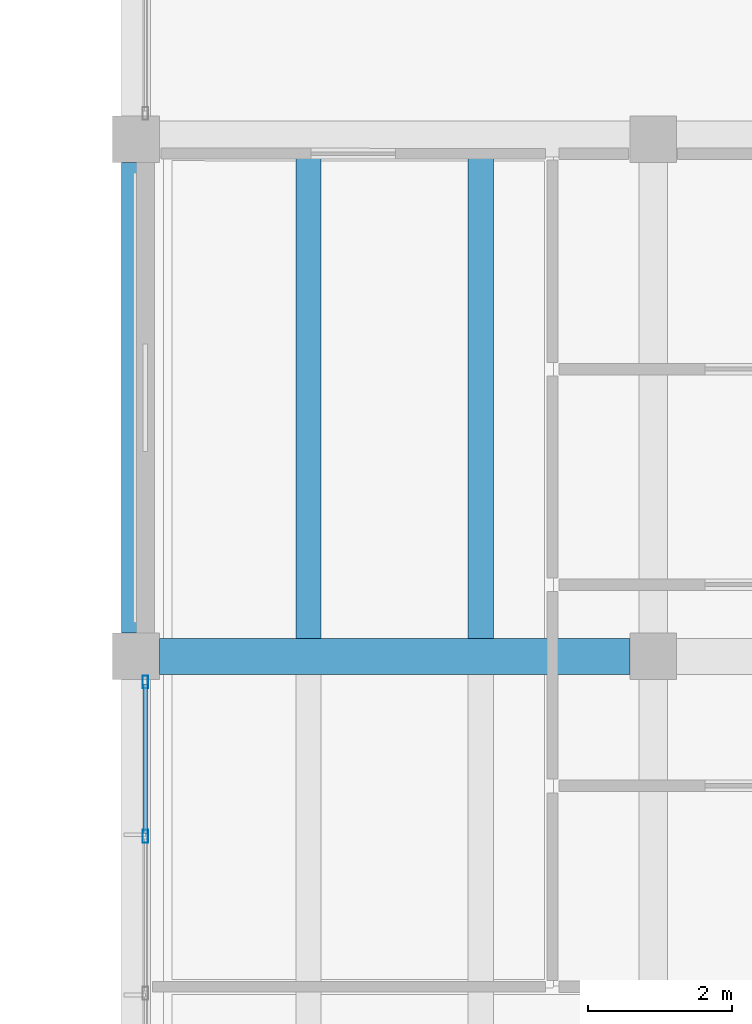
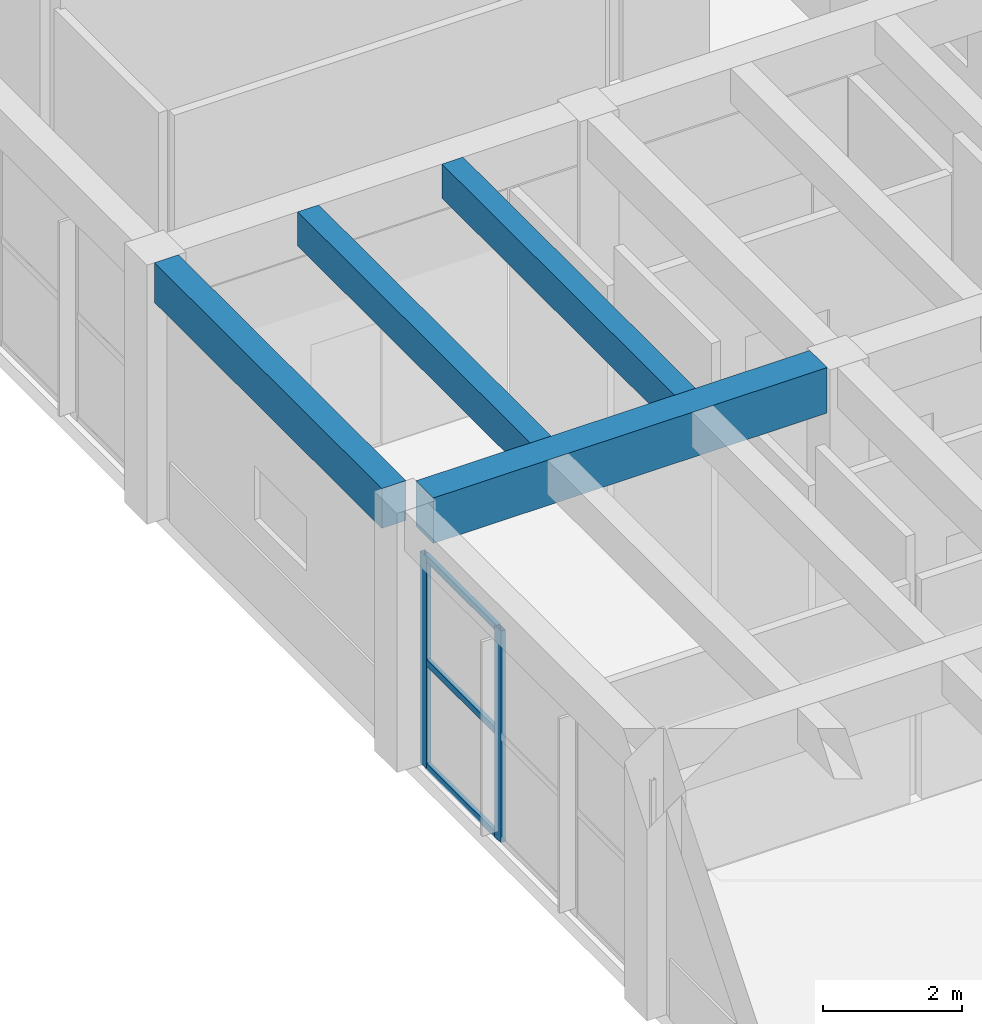
# One storey, part 63 of 155: 5 members, 4 beams, 1 element without a shape of its own.
"""IFC4 building model written with IfcOpenShell, lengths in metres."""

from ifc_helpers import new_model, si_unit, direction, frame, origin, origin_2d, place, context, subcontext, project, spatial, rectangle, hollow_rectangle, extrude, material, material_profile, profile_set, type_object, element, aggregate, save


model = new_model("IFC4")

# Units and contexts
model_context = context("Model", 3, precision=1e-05, world=origin(), true_north=direction((0.0, 1.0)))
body_context = subcontext(model_context, "Body", "Model", "MODEL_VIEW")
ifc_project = project(units=[si_unit("LENGTHUNIT", "METRE"), si_unit("AREAUNIT", "SQUARE_METRE"), si_unit("VOLUMEUNIT", "CUBIC_METRE"), si_unit("PLANEANGLEUNIT", "RADIAN"), si_unit("MASSUNIT", "GRAM", prefix="KILO")], contexts=[model_context])

# Site, building, storey
site_placement = place(None, origin())
site = spatial("IfcSite", under=ifc_project, at=site_placement, CompositionType="ELEMENT")
building_placement = place(site_placement, origin())
building = spatial("IfcBuilding", under=site, at=building_placement, Name="Bramvelor Terrace Health Centre", CompositionType="ELEMENT")
storey_placement = place(building_placement, origin())
storey = spatial("IfcBuildingStorey", under=building, at=storey_placement, Name="L01", CompositionType="ELEMENT", Elevation=0.0)

# Beams
ifc_material_1 = material(Name="Concrete C40/50", Category="concrete")
ifc_material_profile_1 = material_profile(ifc_material_1, rectangle(XDim=0.5, YDim=0.800048828125, at=origin_2d()), Name="RC 500x800")
ifc_profile_set_1 = profile_set([ifc_material_profile_1], Name="Concrete C40/50")
beam_type_1 = type_object("IfcBeamType", Name="BM-RC-G800", PredefinedType="BEAM", material=ifc_profile_set_1)
beam_1_placement = place(storey_placement, frame((0.324951171875, 93.60009765625, 4.159912109375), z_axis=(1.0, 0.0, 0.0), x_axis=(0.0, 1.0, 0.0)))
element("IfcBeam", 1, at=beam_1_placement, inside=storey, type_object=beam_type_1, Name="L01 Floor Girder", PredefinedType="BEAM", context=body_context, shape_type="SweptSolid", body=[
    extrude(rectangle(XDim=0.5, YDim=0.800048828125, at=origin_2d()), origin(), (0.0, 0.0, 1.0), 6.550048828125),
])
ifc_material_2 = material(Name="Concrete C40/50", Category="concrete")
ifc_material_profile_2 = material_profile(ifc_material_2, rectangle(XDim=0.35009765625, YDim=0.60009765625, at=origin_2d()), Name="RC 350x600")
ifc_profile_set_2 = profile_set([ifc_material_profile_2], Name="Concrete C40/50")
beam_type_2 = type_object("IfcBeamType", Name="BM-RC-J600", PredefinedType="JOIST", material=ifc_profile_set_2)
for number, where, z_axis, x_axis, name in (
    (2, (2.39990234375, 93.85009765625, 4.260009765625), (0.0, 1.0, 0.0), (-1.0, 0.0, 0.0), "L01 Secondary Floor Joist"),
    (3, (4.800048828125, 93.85009765625, 4.260009765625), (0.0, 1.0, 0.0), (-1.0, 0.0, 0.0), "L01 Secondary Floor Joist"),
):
    element("IfcBeam", number, at=place(storey_placement, frame(where, z_axis=z_axis, x_axis=x_axis)), inside=storey, type_object=beam_type_2, Name=name, PredefinedType="JOIST", context=body_context, shape_type="SweptSolid", body=[
        extrude(rectangle(XDim=0.35009765625, YDim=0.60009765625, at=origin_2d()), origin(), (0.0, 0.0, 1.0), 6.699951171875),
    ])
ifc_material_3 = material(Name="Concrete C40/50", Category="concrete")
ifc_material_profile_3 = material_profile(ifc_material_3, rectangle(XDim=0.39990234375, YDim=0.699951171875, at=origin_2d()), Name="RC 400x700")
ifc_profile_set_3 = profile_set([ifc_material_profile_3], Name="Concrete C40/50")
beam_type_3 = type_object("IfcBeamType", Name="BM-RC-SP700-EXT", PredefinedType="SPANDREL", material=ifc_profile_set_3)
beam_2_placement = place(storey_placement, frame((0.0, 93.925048828125, 4.2099609375), z_axis=(0.0, 1.0, 0.0), x_axis=(-1.0, 0.0, 0.0)))
element("IfcBeam", 4, at=beam_2_placement, inside=storey, type_object=beam_type_3, Name="L01 Floor Girder", PredefinedType="SPANDREL", context=body_context, shape_type="SweptSolid", body=[
    extrude(rectangle(XDim=0.39990234375, YDim=0.699951171875, at=origin_2d()), origin(), (0.0, 0.0, 1.0), 6.550048828125),
])

# Curtain wall, members
ifc_material_4 = material(Name="Anodized aluminium and double low-E glass", Category="aluminium")
curtain_wall_type = type_object("IfcCurtainWallType", Name="CW-SYS-02", PredefinedType="NOTDEFINED", material=ifc_material_4)
curtain_wall_placement = place(storey_placement, origin())
curtain_wall = element("IfcCurtainWall", 5, at=curtain_wall_placement, inside=storey, type_object=curtain_wall_type, Name="L01 Unitized Curtain Wall 16", PredefinedType="NOTDEFINED")
ifc_material_5 = material(Name="Anodized aluminium 6063-T6", Category="aluminium")
ifc_material_profile_4 = material_profile(ifc_material_5, hollow_rectangle(XDim=0.074951171875, YDim=0.179931640625, WallThickness=0.00341796875, at=origin_2d()), Name="ALU-MUL 75x180x3.5")
ifc_profile_set_4 = profile_set([ifc_material_profile_4], Name="Anodized aluminium 6063-T6")
member_type_1 = type_object("IfcMemberType", Name="CW-MUL-65x180", PredefinedType="MULLION", material=ifc_profile_set_4)
member_1_placement = place(storey_placement, frame((0.1298828125, 91.09326171875, 0.0), z_axis=(0.0, 0.0, 1.0), x_axis=(-1.0, 0.0, 0.0)))
member_1 = element("IfcMember", 6, at=member_1_placement, type_object=member_type_1, Name="CW-02 mullion 3", PredefinedType="MULLION", context=body_context, shape_type="SweptSolid", body=[
    extrude(hollow_rectangle(XDim=0.074951171875, YDim=0.179931640625, WallThickness=0.00341796875, at=origin_2d()), origin(), (0.0, 0.0, 1.0), 3.719970703125),
])
member_2_placement = place(storey_placement, frame((0.1298828125, 93.242431640625, 0.0), z_axis=(0.0, 0.0, 1.0), x_axis=(-1.0, 0.0, 0.0)))
member_2 = element("IfcMember", 7, at=member_2_placement, type_object=member_type_1, Name="CW-02 mullion 4", PredefinedType="MULLION", context=body_context, shape_type="SweptSolid", body=[
    extrude(hollow_rectangle(XDim=0.074951171875, YDim=0.179931640625, WallThickness=0.00341796875, at=origin_2d()), origin(), (0.0, 0.0, 1.0), 3.719970703125),
])
ifc_material_6 = material(Name="Anodized aluminium 6063-T6", Category="aluminium")
ifc_material_profile_5 = material_profile(ifc_material_6, hollow_rectangle(XDim=0.06494140625, YDim=0.1201171875, WallThickness=0.0029296875, at=origin_2d()), Name="ALU-TRN 65x120x3.0")
ifc_profile_set_5 = profile_set([ifc_material_profile_5], Name="Anodized aluminium 6063-T6")
member_type_2 = type_object("IfcMemberType", Name="CW-TRN-65x150", PredefinedType="USERDEFINED", material=ifc_profile_set_5)
member_3_placement = place(storey_placement, frame((0.1298828125, 91.130859375, 0.032470703125), z_axis=(0.0, 1.0, 0.0), x_axis=(-1.0, 0.0, 0.0)))
member_3 = element("IfcMember", 8, at=member_3_placement, type_object=member_type_2, Name="CW-02 transom 3.1", ObjectType="TRANSOM", PredefinedType="USERDEFINED", context=body_context, shape_type="SweptSolid", body=[
    extrude(hollow_rectangle(XDim=0.06494140625, YDim=0.1201171875, WallThickness=0.0029296875, at=origin_2d()), origin(), (0.0, 0.0, 1.0), 2.07421875),
])
member_4_placement = place(storey_placement, frame((0.1298828125, 91.130859375, 1.860107421875), z_axis=(0.0, 1.0, 0.0), x_axis=(-1.0, 0.0, 0.0)))
member_4 = element("IfcMember", 9, at=member_4_placement, type_object=member_type_2, Name="CW-02 transom 3.2", ObjectType="TRANSOM", PredefinedType="USERDEFINED", context=body_context, shape_type="SweptSolid", body=[
    extrude(hollow_rectangle(XDim=0.06494140625, YDim=0.1201171875, WallThickness=0.0029296875, at=origin_2d()), origin(), (0.0, 0.0, 1.0), 2.07421875),
])
member_5_placement = place(storey_placement, frame((0.1298828125, 91.130859375, 3.6875), z_axis=(0.0, 1.0, 0.0), x_axis=(-1.0, 0.0, 0.0)))
member_5 = element("IfcMember", 10, at=member_5_placement, type_object=member_type_2, Name="CW-02 transom 3.3", ObjectType="TRANSOM", PredefinedType="USERDEFINED", context=body_context, shape_type="SweptSolid", body=[
    extrude(hollow_rectangle(XDim=0.06494140625, YDim=0.1201171875, WallThickness=0.0029296875, at=origin_2d()), origin(), (0.0, 0.0, 1.0), 2.07421875),
])
aggregate(curtain_wall, [member_1, member_2, member_3, member_4, member_5])

save(model, "model.ifc")
